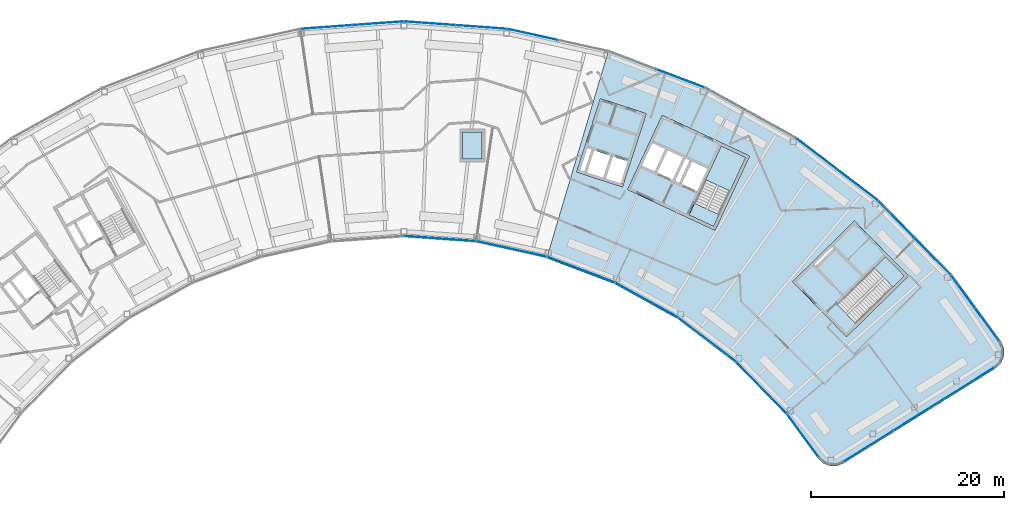
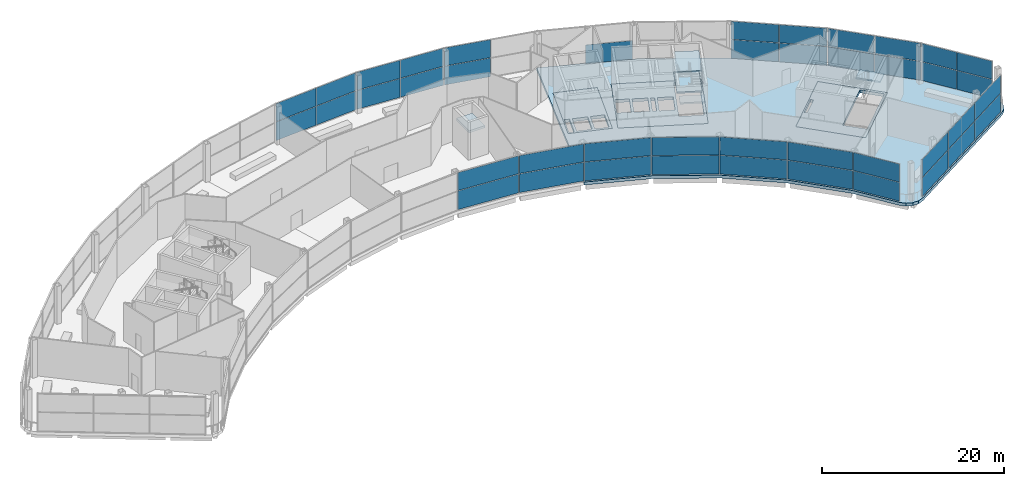
# One storey, part 34 of 43: 43 plates, 9 slabs, 17 elements without a shape of their own.
"""IFC4 building model written with IfcOpenShell, lengths in metres."""

from ifc_helpers import new_model, si_unit, direction, frame, origin, origin_2d, place, context, subcontext, project, spatial, polyline, rectangle, outline, extrude, material, layer, layer_set, type_object, element, aggregate, save


model = new_model("IFC4")

# Units and contexts
model_context = context("Model", 3, precision=1e-05, world=origin(), true_north=direction((0.0, 1.0)))
body_context = subcontext(model_context, "Body", "Model", "MODEL_VIEW")
ifc_project = project(units=[si_unit("LENGTHUNIT", "METRE"), si_unit("AREAUNIT", "SQUARE_METRE"), si_unit("VOLUMEUNIT", "CUBIC_METRE"), si_unit("PLANEANGLEUNIT", "RADIAN"), si_unit("MASSUNIT", "GRAM", prefix="KILO")], contexts=[model_context])

# Site, building, storey
site_placement = place(None, origin())
site = spatial("IfcSite", under=ifc_project, at=site_placement, CompositionType="ELEMENT")
building_placement = place(site_placement, origin())
building = spatial("IfcBuilding", under=site, at=building_placement, Name="Tuul Gate Civic Tower", CompositionType="ELEMENT")
storey_placement = place(building_placement, frame((0.0, 0.0, 349.10009765625)))
storey = spatial("IfcBuildingStorey", under=building, at=storey_placement, Name="Observation level 1", CompositionType="ELEMENT", Elevation=349.10009765625)

# Curtain wall, plates
ifc_material_1 = material(Name="Stainless steel", Category="steel")
ifc_layer_1 = layer(ifc_material_1, 0.199951171875)
ifc_layer_set_1 = layer_set([ifc_layer_1], Name="Stainless steel")
curtain_wall_type = type_object("IfcCurtainWallType", Name="Curtain wall CW4", PredefinedType="NOTDEFINED", material=ifc_layer_set_1)
curtain_wall_1_placement = place(storey_placement, origin())
curtain_wall_1 = element("IfcCurtainWall", 1, at=curtain_wall_1_placement, inside=storey, type_object=curtain_wall_type, Name="Curtain wall CW4", PredefinedType="NOTDEFINED")
ifc_material_2 = material(Name="Laminated glass", Category="glass")
ifc_layer_2 = layer(ifc_material_2, 0.0400390625)
ifc_layer_set_2 = layer_set([ifc_layer_2], Name="Laminated glass")
plate_type = type_object("IfcPlateType", Name="CW4 panel", PredefinedType="CURTAIN_PANEL", material=ifc_layer_set_2)
plate_1_placement = place(storey_placement, frame((62.70458984375, -17.19482421875, 0.06005859375), z_axis=(0.0, 0.0, 1.0), x_axis=(-0.589760109881, 0.807578487079, 0.0)))
plate_1 = element("IfcPlate", 2, at=plate_1_placement, type_object=plate_type, Name="Panel", PredefinedType="CURTAIN_PANEL", context=body_context, shape_type="SweptSolid", body=[
    extrude(rectangle(XDim=4.211669921875, YDim=0.0400390625, at=origin_2d()), origin(), (0.0, 0.0, 1.0), 2.510009765625),
])
plate_2_placement = place(storey_placement, frame((62.70458984375, -17.19482421875, 2.6298828125), z_axis=(0.0, 0.0, 1.0), x_axis=(-0.589760109881, 0.807578487079, 0.0)))
plate_2 = element("IfcPlate", 3, at=plate_2_placement, type_object=plate_type, Name="Panel", PredefinedType="CURTAIN_PANEL", context=body_context, shape_type="SweptSolid", body=[
    extrude(rectangle(XDim=4.211669921875, YDim=0.0400390625, at=origin_2d()), origin(), (0.0, 0.0, 1.0), 2.409912109375),
])
plate_3_placement = place(storey_placement, frame((60.185302734375, -13.7451171875, 0.06005859375), z_axis=(0.0, 0.0, 1.0), x_axis=(-0.589760109881, 0.807578487079, 0.0)))
plate_3 = element("IfcPlate", 4, at=plate_3_placement, type_object=plate_type, Name="Panel", PredefinedType="CURTAIN_PANEL", context=body_context, shape_type="SweptSolid", body=[
    extrude(rectangle(XDim=4.211669921875, YDim=0.0400390625, at=origin_2d()), origin(), (0.0, 0.0, 1.0), 2.510009765625),
])
plate_4_placement = place(storey_placement, frame((60.185302734375, -13.7451171875, 2.6298828125), z_axis=(0.0, 0.0, 1.0), x_axis=(-0.589760109881, 0.807578487079, 0.0)))
plate_4 = element("IfcPlate", 5, at=plate_4_placement, type_object=plate_type, Name="Panel", PredefinedType="CURTAIN_PANEL", context=body_context, shape_type="SweptSolid", body=[
    extrude(rectangle(XDim=4.211669921875, YDim=0.0400390625, at=origin_2d()), origin(), (0.0, 0.0, 1.0), 2.409912109375),
])
aggregate(curtain_wall_1, [plate_1, plate_2, plate_3, plate_4])

curtain_wall_2_placement = place(storey_placement, origin())
curtain_wall_2 = element("IfcCurtainWall", 6, at=curtain_wall_2_placement, inside=storey, type_object=curtain_wall_type, Name="Curtain wall CW4", PredefinedType="NOTDEFINED")
plate_5_placement = place(storey_placement, frame((57.017578125, -10.067626953125, 0.06005859375), z_axis=(0.0, 0.0, 1.0), x_axis=(-0.700043488595, 0.714100212908, 0.0)))
plate_5 = element("IfcPlate", 7, at=plate_5_placement, type_object=plate_type, Name="Panel", PredefinedType="CURTAIN_PANEL", context=body_context, shape_type="SweptSolid", body=[
    extrude(rectangle(XDim=5.281005859375, YDim=0.0400390625, at=origin_2d()), origin(), (0.0, 0.0, 1.0), 2.510009765625),
])
plate_6_placement = place(storey_placement, frame((57.017578125, -10.067626953125, 2.6298828125), z_axis=(0.0, 0.0, 1.0), x_axis=(-0.700043488595, 0.714100212908, 0.0)))
plate_6 = element("IfcPlate", 8, at=plate_6_placement, type_object=plate_type, Name="Panel", PredefinedType="CURTAIN_PANEL", context=body_context, shape_type="SweptSolid", body=[
    extrude(rectangle(XDim=5.281005859375, YDim=0.0400390625, at=origin_2d()), origin(), (0.0, 0.0, 1.0), 2.409912109375),
])
plate_7_placement = place(storey_placement, frame((53.278564453125, -6.25341796875, 0.06005859375), z_axis=(0.0, 0.0, 1.0), x_axis=(-0.700043488595, 0.714100212908, 0.0)))
plate_7 = element("IfcPlate", 9, at=plate_7_placement, type_object=plate_type, Name="Panel", PredefinedType="CURTAIN_PANEL", context=body_context, shape_type="SweptSolid", body=[
    extrude(rectangle(XDim=5.281005859375, YDim=0.0400390625, at=origin_2d()), origin(), (0.0, 0.0, 1.0), 2.510009765625),
])
plate_8_placement = place(storey_placement, frame((53.278564453125, -6.25341796875, 2.6298828125), z_axis=(0.0, 0.0, 1.0), x_axis=(-0.700043488595, 0.714100212908, 0.0)))
plate_8 = element("IfcPlate", 10, at=plate_8_placement, type_object=plate_type, Name="Panel", PredefinedType="CURTAIN_PANEL", context=body_context, shape_type="SweptSolid", body=[
    extrude(rectangle(XDim=5.281005859375, YDim=0.0400390625, at=origin_2d()), origin(), (0.0, 0.0, 1.0), 2.409912109375),
])
aggregate(curtain_wall_2, [plate_5, plate_6, plate_7, plate_8])

curtain_wall_3_placement = place(storey_placement, origin())
curtain_wall_3 = element("IfcCurtainWall", 11, at=curtain_wall_3_placement, inside=storey, type_object=curtain_wall_type, Name="Curtain wall CW4", PredefinedType="NOTDEFINED")
plate_9_placement = place(storey_placement, frame((49.2392578125, -2.68896484375, 0.06005859375), z_axis=(0.0, 0.0, 1.0), x_axis=(-0.795611180684, 0.605807600786, 0.0)))
plate_9 = element("IfcPlate", 12, at=plate_9_placement, type_object=plate_type, Name="Panel", PredefinedType="CURTAIN_PANEL", context=body_context, shape_type="SweptSolid", body=[
    extrude(rectangle(XDim=5.28125, YDim=0.0400390625, at=origin_2d()), origin(), (0.0, 0.0, 1.0), 2.510009765625),
])
plate_10_placement = place(storey_placement, frame((49.2392578125, -2.68896484375, 2.6298828125), z_axis=(0.0, 0.0, 1.0), x_axis=(-0.795611180684, 0.605807600786, 0.0)))
plate_10 = element("IfcPlate", 13, at=plate_10_placement, type_object=plate_type, Name="Panel", PredefinedType="CURTAIN_PANEL", context=body_context, shape_type="SweptSolid", body=[
    extrude(rectangle(XDim=5.28125, YDim=0.0400390625, at=origin_2d()), origin(), (0.0, 0.0, 1.0), 2.409912109375),
])
plate_11_placement = place(storey_placement, frame((44.98974609375, 0.546875, 0.06005859375), z_axis=(0.0, 0.0, 1.0), x_axis=(-0.795611180684, 0.605807600786, 0.0)))
plate_11 = element("IfcPlate", 14, at=plate_11_placement, type_object=plate_type, Name="Panel", PredefinedType="CURTAIN_PANEL", context=body_context, shape_type="SweptSolid", body=[
    extrude(rectangle(XDim=5.28125, YDim=0.0400390625, at=origin_2d()), origin(), (0.0, 0.0, 1.0), 2.510009765625),
])
plate_12_placement = place(storey_placement, frame((44.98974609375, 0.546875, 2.6298828125), z_axis=(0.0, 0.0, 1.0), x_axis=(-0.795611180684, 0.605807600786, 0.0)))
plate_12 = element("IfcPlate", 15, at=plate_12_placement, type_object=plate_type, Name="Panel", PredefinedType="CURTAIN_PANEL", context=body_context, shape_type="SweptSolid", body=[
    extrude(rectangle(XDim=5.28125, YDim=0.0400390625, at=origin_2d()), origin(), (0.0, 0.0, 1.0), 2.409912109375),
])
aggregate(curtain_wall_3, [plate_9, plate_10, plate_11, plate_12])

# Curtain wall, plate
curtain_wall_4_placement = place(storey_placement, origin())
curtain_wall_4 = element("IfcCurtainWall", 16, at=curtain_wall_4_placement, inside=storey, type_object=curtain_wall_type, Name="Curtain wall CW4", PredefinedType="NOTDEFINED")
plate_13_placement = place(storey_placement, frame((30.9189453125, 8.34619140625, 0.06005859375), z_axis=(0.0, 0.0, 1.0), x_axis=(-0.935346200905, 0.35373363489, 0.0)))
plate_13 = element("IfcPlate", 17, at=plate_13_placement, type_object=plate_type, Name="Panel", PredefinedType="CURTAIN_PANEL", context=body_context, shape_type="SweptSolid", body=[
    extrude(rectangle(XDim=5.28125, YDim=0.0400390625, at=origin_2d()), origin(), (0.0, 0.0, 1.0), 2.510009765625),
])
aggregate(curtain_wall_4, [plate_13])

# Curtain wall, plates
curtain_wall_5_placement = place(storey_placement, origin())
curtain_wall_5 = element("IfcCurtainWall", 18, at=curtain_wall_5_placement, inside=storey, type_object=curtain_wall_type, Name="Curtain wall CW4", PredefinedType="NOTDEFINED")
plate_14_placement = place(storey_placement, frame((15.54345703125, 12.921875, 0.06005859375), z_axis=(0.0, 0.0, 1.0), x_axis=(-0.976566659334, 0.215215147882, 0.0)))
plate_14 = element("IfcPlate", 19, at=plate_14_placement, type_object=plate_type, Name="Panel", PredefinedType="CURTAIN_PANEL", context=body_context, shape_type="SweptSolid", body=[
    extrude(rectangle(XDim=5.28125, YDim=0.0400390625, at=origin_2d()), origin(), (0.0, 0.0, 1.0), 2.510009765625),
])
plate_15_placement = place(storey_placement, frame((15.54345703125, 12.921875, 2.6298828125), z_axis=(0.0, 0.0, 1.0), x_axis=(-0.976566659334, 0.215215147882, 0.0)))
plate_15 = element("IfcPlate", 20, at=plate_15_placement, type_object=plate_type, Name="Panel", PredefinedType="CURTAIN_PANEL", context=body_context, shape_type="SweptSolid", body=[
    extrude(rectangle(XDim=5.28125, YDim=0.0400390625, at=origin_2d()), origin(), (0.0, 0.0, 1.0), 2.409912109375),
])
aggregate(curtain_wall_5, [plate_14, plate_15])

curtain_wall_6_placement = place(storey_placement, origin())
curtain_wall_6 = element("IfcCurtainWall", 21, at=curtain_wall_6_placement, inside=storey, type_object=curtain_wall_type, Name="Curtain wall CW4", PredefinedType="NOTDEFINED")
plate_16_placement = place(storey_placement, frame((10.212646484375, 13.697998046875, 0.06005859375), z_axis=(0.0, 0.0, 1.0), x_axis=(-0.997387323989, 0.07223936563, 0.0)))
plate_16 = element("IfcPlate", 22, at=plate_16_placement, type_object=plate_type, Name="Panel", PredefinedType="CURTAIN_PANEL", context=body_context, shape_type="SweptSolid", body=[
    extrude(rectangle(XDim=5.281005859375, YDim=0.0400390625, at=origin_2d()), origin(), (0.0, 0.0, 1.0), 2.510009765625),
])
plate_17_placement = place(storey_placement, frame((10.212646484375, 13.697998046875, 2.6298828125), z_axis=(0.0, 0.0, 1.0), x_axis=(-0.997387323989, 0.07223936563, 0.0)))
plate_17 = element("IfcPlate", 23, at=plate_17_placement, type_object=plate_type, Name="Panel", PredefinedType="CURTAIN_PANEL", context=body_context, shape_type="SweptSolid", body=[
    extrude(rectangle(XDim=5.281005859375, YDim=0.0400390625, at=origin_2d()), origin(), (0.0, 0.0, 1.0), 2.409912109375),
])
plate_18_placement = place(storey_placement, frame((4.885498046875, 14.083984375, 0.06005859375), z_axis=(0.0, 0.0, 1.0), x_axis=(-0.997387323989, 0.07223936563, 0.0)))
plate_18 = element("IfcPlate", 24, at=plate_18_placement, type_object=plate_type, Name="Panel", PredefinedType="CURTAIN_PANEL", context=body_context, shape_type="SweptSolid", body=[
    extrude(rectangle(XDim=5.281005859375, YDim=0.0400390625, at=origin_2d()), origin(), (0.0, 0.0, 1.0), 2.510009765625),
])
plate_19_placement = place(storey_placement, frame((4.885498046875, 14.083984375, 2.6298828125), z_axis=(0.0, 0.0, 1.0), x_axis=(-0.997387323989, 0.07223936563, 0.0)))
plate_19 = element("IfcPlate", 25, at=plate_19_placement, type_object=plate_type, Name="Panel", PredefinedType="CURTAIN_PANEL", context=body_context, shape_type="SweptSolid", body=[
    extrude(rectangle(XDim=5.281005859375, YDim=0.0400390625, at=origin_2d()), origin(), (0.0, 0.0, 1.0), 2.409912109375),
])
aggregate(curtain_wall_6, [plate_16, plate_17, plate_18, plate_19])

curtain_wall_7_placement = place(storey_placement, origin())
curtain_wall_7 = element("IfcCurtainWall", 26, at=curtain_wall_7_placement, inside=storey, type_object=curtain_wall_type, Name="Curtain wall CW4", PredefinedType="NOTDEFINED")
plate_20_placement = place(storey_placement, frame((-0.50146484375, 14.083984375, 0.06005859375), z_axis=(0.0, 0.0, 1.0), x_axis=(-0.997387323989, -0.07223936563, 0.0)))
plate_20 = element("IfcPlate", 27, at=plate_20_placement, type_object=plate_type, Name="Panel", PredefinedType="CURTAIN_PANEL", context=body_context, shape_type="SweptSolid", body=[
    extrude(rectangle(XDim=5.281005859375, YDim=0.0400390625, at=origin_2d()), origin(), (0.0, 0.0, 1.0), 2.510009765625),
])
plate_21_placement = place(storey_placement, frame((-0.50146484375, 14.083984375, 2.6298828125), z_axis=(0.0, 0.0, 1.0), x_axis=(-0.997387323989, -0.07223936563, 0.0)))
plate_21 = element("IfcPlate", 28, at=plate_21_placement, type_object=plate_type, Name="Panel", PredefinedType="CURTAIN_PANEL", context=body_context, shape_type="SweptSolid", body=[
    extrude(rectangle(XDim=5.281005859375, YDim=0.0400390625, at=origin_2d()), origin(), (0.0, 0.0, 1.0), 2.409912109375),
])
plate_22_placement = place(storey_placement, frame((-5.82861328125, 13.697998046875, 0.06005859375), z_axis=(0.0, 0.0, 1.0), x_axis=(-0.997387323989, -0.07223936563, 0.0)))
plate_22 = element("IfcPlate", 29, at=plate_22_placement, type_object=plate_type, Name="Panel", PredefinedType="CURTAIN_PANEL", context=body_context, shape_type="SweptSolid", body=[
    extrude(rectangle(XDim=5.281005859375, YDim=0.0400390625, at=origin_2d()), origin(), (0.0, 0.0, 1.0), 2.510009765625),
])
plate_23_placement = place(storey_placement, frame((-5.82861328125, 13.697998046875, 2.6298828125), z_axis=(0.0, 0.0, 1.0), x_axis=(-0.997387323989, -0.07223936563, 0.0)))
plate_23 = element("IfcPlate", 30, at=plate_23_placement, type_object=plate_type, Name="Panel", PredefinedType="CURTAIN_PANEL", context=body_context, shape_type="SweptSolid", body=[
    extrude(rectangle(XDim=5.281005859375, YDim=0.0400390625, at=origin_2d()), origin(), (0.0, 0.0, 1.0), 2.409912109375),
])
aggregate(curtain_wall_7, [plate_20, plate_21, plate_22, plate_23])

curtain_wall_8_placement = place(storey_placement, origin())
curtain_wall_8 = element("IfcCurtainWall", 31, at=curtain_wall_8_placement, inside=storey, type_object=curtain_wall_type, Name="Curtain wall CW4", PredefinedType="NOTDEFINED")
plate_24_placement = place(storey_placement, frame((5.945556640625, -8.2509765625, 0.06005859375), z_axis=(0.0, 0.0, 1.0), x_axis=(0.997384657179, -0.072276176045, 0.0)))
plate_24 = element("IfcPlate", 32, at=plate_24_placement, type_object=plate_type, Name="Panel", PredefinedType="CURTAIN_PANEL", context=body_context, shape_type="SweptSolid", body=[
    extrude(rectangle(XDim=7.40673828125, YDim=0.0400390625, at=origin_2d()), origin(), (0.0, 0.0, 1.0), 2.510009765625),
])
plate_25_placement = place(storey_placement, frame((5.945556640625, -8.2509765625, 2.6298828125), z_axis=(0.0, 0.0, 1.0), x_axis=(0.997384657179, -0.072276176045, 0.0)))
plate_25 = element("IfcPlate", 33, at=plate_25_placement, type_object=plate_type, Name="Panel", PredefinedType="CURTAIN_PANEL", context=body_context, shape_type="SweptSolid", body=[
    extrude(rectangle(XDim=7.40673828125, YDim=0.0400390625, at=origin_2d()), origin(), (0.0, 0.0, 1.0), 2.409912109375),
])
aggregate(curtain_wall_8, [plate_24, plate_25])

curtain_wall_9_placement = place(storey_placement, origin())
curtain_wall_9 = element("IfcCurtainWall", 34, at=curtain_wall_9_placement, inside=storey, type_object=curtain_wall_type, Name="Curtain wall CW4", PredefinedType="NOTDEFINED")
plate_26_placement = place(storey_placement, frame((13.3740234375, -9.3330078125, 0.06005859375), z_axis=(0.0, 0.0, 1.0), x_axis=(0.976560749849, -0.215241961183, 0.0)))
plate_26 = element("IfcPlate", 35, at=plate_26_placement, type_object=plate_type, Name="Panel", PredefinedType="CURTAIN_PANEL", context=body_context, shape_type="SweptSolid", body=[
    extrude(rectangle(XDim=7.406494140625, YDim=0.0400390625, at=origin_2d()), origin(), (0.0, 0.0, 1.0), 2.510009765625),
])
plate_27_placement = place(storey_placement, frame((13.3740234375, -9.3330078125, 2.6298828125), z_axis=(0.0, 0.0, 1.0), x_axis=(0.976560749849, -0.215241961183, 0.0)))
plate_27 = element("IfcPlate", 36, at=plate_27_placement, type_object=plate_type, Name="Panel", PredefinedType="CURTAIN_PANEL", context=body_context, shape_type="SweptSolid", body=[
    extrude(rectangle(XDim=7.406494140625, YDim=0.0400390625, at=origin_2d()), origin(), (0.0, 0.0, 1.0), 2.409912109375),
])
aggregate(curtain_wall_9, [plate_26, plate_27])

curtain_wall_10_placement = place(storey_placement, origin())
curtain_wall_10 = element("IfcCurtainWall", 37, at=curtain_wall_10_placement, inside=storey, type_object=curtain_wall_type, Name="Curtain wall CW4", PredefinedType="NOTDEFINED")
plate_28_placement = place(storey_placement, frame((20.569091796875, -11.47412109375, 0.06005859375), z_axis=(0.0, 0.0, 1.0), x_axis=(0.935364679597, -0.353684769481, 0.0)))
plate_28 = element("IfcPlate", 38, at=plate_28_placement, type_object=plate_type, Name="Panel", PredefinedType="CURTAIN_PANEL", context=body_context, shape_type="SweptSolid", body=[
    extrude(rectangle(XDim=7.406494140625, YDim=0.0400390625, at=origin_2d()), origin(), (0.0, 0.0, 1.0), 2.510009765625),
])
plate_29_placement = place(storey_placement, frame((20.569091796875, -11.47412109375, 2.6298828125), z_axis=(0.0, 0.0, 1.0), x_axis=(0.935364679597, -0.353684769481, 0.0)))
plate_29 = element("IfcPlate", 39, at=plate_29_placement, type_object=plate_type, Name="Panel", PredefinedType="CURTAIN_PANEL", context=body_context, shape_type="SweptSolid", body=[
    extrude(rectangle(XDim=7.406494140625, YDim=0.0400390625, at=origin_2d()), origin(), (0.0, 0.0, 1.0), 2.409912109375),
])
aggregate(curtain_wall_10, [plate_28, plate_29])

curtain_wall_11_placement = place(storey_placement, origin())
curtain_wall_11 = element("IfcCurtainWall", 40, at=curtain_wall_11_placement, inside=storey, type_object=curtain_wall_type, Name="Curtain wall CW4", PredefinedType="NOTDEFINED")
plate_30_placement = place(storey_placement, frame((27.380615234375, -14.62939453125, 0.06005859375), z_axis=(0.0, 0.0, 1.0), x_axis=(0.874620635875, -0.48480794476, 0.0)))
plate_30 = element("IfcPlate", 41, at=plate_30_placement, type_object=plate_type, Name="Panel", PredefinedType="CURTAIN_PANEL", context=body_context, shape_type="SweptSolid", body=[
    extrude(rectangle(XDim=7.40673828125, YDim=0.0400390625, at=origin_2d()), origin(), (0.0, 0.0, 1.0), 2.510009765625),
])
plate_31_placement = place(storey_placement, frame((27.380615234375, -14.62939453125, 2.6298828125), z_axis=(0.0, 0.0, 1.0), x_axis=(0.874620635875, -0.48480794476, 0.0)))
plate_31 = element("IfcPlate", 42, at=plate_31_placement, type_object=plate_type, Name="Panel", PredefinedType="CURTAIN_PANEL", context=body_context, shape_type="SweptSolid", body=[
    extrude(rectangle(XDim=7.40673828125, YDim=0.0400390625, at=origin_2d()), origin(), (0.0, 0.0, 1.0), 2.409912109375),
])
aggregate(curtain_wall_11, [plate_30, plate_31])

curtain_wall_12_placement = place(storey_placement, origin())
curtain_wall_12 = element("IfcCurtainWall", 43, at=curtain_wall_12_placement, inside=storey, type_object=curtain_wall_type, Name="Curtain wall CW4", PredefinedType="NOTDEFINED")
plate_32_placement = place(storey_placement, frame((33.666015625, -18.73388671875, 0.06005859375), z_axis=(0.0, 0.0, 1.0), x_axis=(0.795578092914, -0.605851052715, 0.0)))
plate_32 = element("IfcPlate", 44, at=plate_32_placement, type_object=plate_type, Name="Panel", PredefinedType="CURTAIN_PANEL", context=body_context, shape_type="SweptSolid", body=[
    extrude(rectangle(XDim=7.406494140625, YDim=0.0400390625, at=origin_2d()), origin(), (0.0, 0.0, 1.0), 2.510009765625),
])
plate_33_placement = place(storey_placement, frame((33.666015625, -18.73388671875, 2.6298828125), z_axis=(0.0, 0.0, 1.0), x_axis=(0.795578092914, -0.605851052715, 0.0)))
plate_33 = element("IfcPlate", 45, at=plate_33_placement, type_object=plate_type, Name="Panel", PredefinedType="CURTAIN_PANEL", context=body_context, shape_type="SweptSolid", body=[
    extrude(rectangle(XDim=7.406494140625, YDim=0.0400390625, at=origin_2d()), origin(), (0.0, 0.0, 1.0), 2.409912109375),
])
aggregate(curtain_wall_12, [plate_32, plate_33])

curtain_wall_13_placement = place(storey_placement, origin())
curtain_wall_13 = element("IfcCurtainWall", 46, at=curtain_wall_13_placement, inside=storey, type_object=curtain_wall_type, Name="Curtain wall CW4", PredefinedType="NOTDEFINED")
plate_34_placement = place(storey_placement, frame((39.29443359375, -23.700927734375, 0.06005859375), z_axis=(0.0, 0.0, 1.0), x_axis=(0.700096651008, -0.714048093092, 0.0)))
plate_34 = element("IfcPlate", 47, at=plate_34_placement, type_object=plate_type, Name="Panel", PredefinedType="CURTAIN_PANEL", context=body_context, shape_type="SweptSolid", body=[
    extrude(rectangle(XDim=7.406005859375, YDim=0.0400390625, at=origin_2d()), origin(), (0.0, 0.0, 1.0), 2.510009765625),
])
plate_35_placement = place(storey_placement, frame((39.29443359375, -23.700927734375, 2.6298828125), z_axis=(0.0, 0.0, 1.0), x_axis=(0.700096651008, -0.714048093092, 0.0)))
plate_35 = element("IfcPlate", 48, at=plate_35_placement, type_object=plate_type, Name="Panel", PredefinedType="CURTAIN_PANEL", context=body_context, shape_type="SweptSolid", body=[
    extrude(rectangle(XDim=7.406005859375, YDim=0.0400390625, at=origin_2d()), origin(), (0.0, 0.0, 1.0), 2.409912109375),
])
aggregate(curtain_wall_13, [plate_34, plate_35])

curtain_wall_14_placement = place(storey_placement, origin())
curtain_wall_14 = element("IfcCurtainWall", 49, at=curtain_wall_14_placement, inside=storey, type_object=curtain_wall_type, Name="Curtain wall CW4", PredefinedType="NOTDEFINED")
plate_36_placement = place(storey_placement, frame((43.596435546875, -28.67138671875, 0.06005859375), z_axis=(0.0, 0.0, 1.0), x_axis=(0.589737236717, -0.807595190444, 0.0)))
plate_36 = element("IfcPlate", 50, at=plate_36_placement, type_object=plate_type, Name="Panel", PredefinedType="CURTAIN_PANEL", context=body_context, shape_type="SweptSolid", body=[
    extrude(rectangle(XDim=5.53515625, YDim=0.0400390625, at=origin_2d()), origin(), (0.0, 0.0, 1.0), 2.510009765625),
])
plate_37_placement = place(storey_placement, frame((43.596435546875, -28.67138671875, 2.6298828125), z_axis=(0.0, 0.0, 1.0), x_axis=(0.589737236717, -0.807595190444, 0.0)))
plate_37 = element("IfcPlate", 51, at=plate_37_placement, type_object=plate_type, Name="Panel", PredefinedType="CURTAIN_PANEL", context=body_context, shape_type="SweptSolid", body=[
    extrude(rectangle(XDim=5.53515625, YDim=0.0400390625, at=origin_2d()), origin(), (0.0, 0.0, 1.0), 2.409912109375),
])
aggregate(curtain_wall_14, [plate_36, plate_37])

curtain_wall_15_placement = place(storey_placement, origin())
curtain_wall_15 = element("IfcCurtainWall", 52, at=curtain_wall_15_placement, inside=storey, type_object=curtain_wall_type, Name="Curtain wall CW4", PredefinedType="NOTDEFINED")
plate_38_placement = place(storey_placement, frame((50.373291015625, -29.786865234375, 0.06005859375), z_axis=(0.0, 0.0, 1.0), x_axis=(0.848052818366, 0.529911707044, 0.0)))
plate_38 = element("IfcPlate", 53, at=plate_38_placement, type_object=plate_type, Name="Panel", PredefinedType="CURTAIN_PANEL", context=body_context, shape_type="SweptSolid", body=[
    extrude(rectangle(XDim=6.0927734375, YDim=0.0400390625, at=origin_2d()), origin(), (0.0, 0.0, 1.0), 2.510009765625),
])
plate_39_placement = place(storey_placement, frame((50.373291015625, -29.786865234375, 2.6298828125), z_axis=(0.0, 0.0, 1.0), x_axis=(0.848052818366, 0.529911707044, 0.0)))
plate_39 = element("IfcPlate", 54, at=plate_39_placement, type_object=plate_type, Name="Panel", PredefinedType="CURTAIN_PANEL", context=body_context, shape_type="SweptSolid", body=[
    extrude(rectangle(XDim=6.0927734375, YDim=0.0400390625, at=origin_2d()), origin(), (0.0, 0.0, 1.0), 2.409912109375),
])
plate_40_placement = place(storey_placement, frame((55.60400390625, -26.5185546875, 0.06005859375), z_axis=(0.0, 0.0, 1.0), x_axis=(0.848052818366, 0.529911707044, 0.0)))
plate_40 = element("IfcPlate", 55, at=plate_40_placement, type_object=plate_type, Name="Panel", PredefinedType="CURTAIN_PANEL", context=body_context, shape_type="SweptSolid", body=[
    extrude(rectangle(XDim=6.122802734375, YDim=0.0400390625, at=origin_2d()), origin(), (0.0, 0.0, 1.0), 2.510009765625),
])
plate_41_placement = place(storey_placement, frame((55.60400390625, -26.5185546875, 2.6298828125), z_axis=(0.0, 0.0, 1.0), x_axis=(0.848052818366, 0.529911707044, 0.0)))
plate_41 = element("IfcPlate", 56, at=plate_41_placement, type_object=plate_type, Name="Panel", PredefinedType="CURTAIN_PANEL", context=body_context, shape_type="SweptSolid", body=[
    extrude(rectangle(XDim=6.122802734375, YDim=0.0400390625, at=origin_2d()), origin(), (0.0, 0.0, 1.0), 2.409912109375),
])
plate_42_placement = place(storey_placement, frame((60.834716796875, -23.25, 0.06005859375), z_axis=(0.0, 0.0, 1.0), x_axis=(0.848052818366, 0.529911707044, 0.0)))
plate_42 = element("IfcPlate", 57, at=plate_42_placement, type_object=plate_type, Name="Panel", PredefinedType="CURTAIN_PANEL", context=body_context, shape_type="SweptSolid", body=[
    extrude(rectangle(XDim=6.0927734375, YDim=0.0400390625, at=origin_2d()), origin(), (0.0, 0.0, 1.0), 2.510009765625),
])
plate_43_placement = place(storey_placement, frame((60.834716796875, -23.25, 2.6298828125), z_axis=(0.0, 0.0, 1.0), x_axis=(0.848052818366, 0.529911707044, 0.0)))
plate_43 = element("IfcPlate", 58, at=plate_43_placement, type_object=plate_type, Name="Panel", PredefinedType="CURTAIN_PANEL", context=body_context, shape_type="SweptSolid", body=[
    extrude(rectangle(XDim=6.0927734375, YDim=0.0400390625, at=origin_2d()), origin(), (0.0, 0.0, 1.0), 2.409912109375),
])
aggregate(curtain_wall_15, [plate_38, plate_39, plate_40, plate_41, plate_42, plate_43])

# Slabs
ifc_material_3 = material(Name="Concrete C40/50", Category="concrete")
ifc_layer_3 = layer(ifc_material_3, 0.39990234375)
ifc_layer_set_3 = layer_set([ifc_layer_3], Name="Concrete C40/50")
slab_type_1 = type_object("IfcSlabType", Name="Core floor slab 400", PredefinedType="FLOOR", material=ifc_layer_set_3)
slab_1_placement = place(storey_placement, frame((0.0, 0.0, -0.400146484375)))
element("IfcSlab", 59, at=slab_1_placement, inside=storey, type_object=slab_type_1, Name="FLOOR SLAB", PredefinedType="FLOOR", context=body_context, shape_type="SweptSolid", body=[
    extrude(outline(polyline([(48.117919921875, -18.43310546875), (54.545166015625, -12.1328125), (48.945068359375, -6.419921875), (42.517822265625, -12.719970703125), (48.117919921875, -18.43310546875)]), holes=[polyline([(44.93896484375, -11.046875), (46.760009765625, -9.261962890625), (46.514892578125, -9.011962890625), (44.69384765625, -10.797119140625), (44.93896484375, -11.046875)]), polyline([(49.086181640625, -17.062744140625), (47.12744140625, -15.064208984375), (52.160888671875, -10.130126953125), (54.11962890625, -12.128662109375), (49.086181640625, -17.062744140625)])]), origin(), (0.0, 0.0, 1.0), 0.400146484375),
])
slab_2_placement = place(storey_placement, frame((0.0, 0.0, -0.400146484375)))
element("IfcSlab", 60, at=slab_2_placement, inside=storey, type_object=slab_type_1, Name="FLOOR SLAB", PredefinedType="FLOOR", context=body_context, shape_type="SweptSolid", body=[
    extrude(outline(polyline([(34.465087890625, -7.385986328125), (38.056884765625, 0.31787109375), (28.993896484375, 4.543701171875), (25.40185546875, -3.159912109375), (34.465087890625, -7.385986328125)]), holes=[polyline([(32.60888671875, -3.32080078125), (33.6865234375, -1.009765625), (32.1005859375, -0.27001953125), (31.02294921875, -2.581298828125), (32.60888671875, -3.32080078125)]), polyline([(30.0712890625, -2.137451171875), (31.14892578125, 0.173583984375), (29.562744140625, 0.9130859375), (28.4853515625, -1.39794921875), (30.0712890625, -2.137451171875)]), polyline([(30.751220703125, -2.454345703125), (31.82861328125, -0.143310546875), (31.4208984375, 0.046875), (30.34326171875, -2.264404296875), (30.751220703125, -2.454345703125)]), polyline([(28.21337890625, -1.27099609375), (29.291015625, 1.0400390625), (27.8408203125, 1.71630859375), (26.76318359375, -0.594970703125), (28.21337890625, -1.27099609375)]), polyline([(34.889892578125, -5.7626953125), (32.353759765625, -4.580078125), (35.120849609375, 1.354736328125), (37.6572265625, 0.17236328125), (34.889892578125, -5.7626953125)])]), origin(), (0.0, 0.0, 1.0), 0.400146484375),
])
ifc_material_4 = material(Name="Concrete C40/50", Category="concrete")
ifc_layer_4 = layer(ifc_material_4, 0.39990234375)
ifc_layer_set_4 = layer_set([ifc_layer_4], Name="Concrete C40/50")
slab_type_2 = type_object("IfcSlabType", Name="Core floor slab 400 non-bearing", PredefinedType="FLOOR", material=ifc_layer_set_4)
slab_3_placement = place(storey_placement, frame((0.0, 0.0, -0.400146484375)))
element("IfcSlab", 61, at=slab_3_placement, inside=storey, type_object=slab_type_2, Name="FLOOR SLAB", PredefinedType="FLOOR", context=body_context, shape_type="SweptSolid", body=[
    extrude(outline(polyline([(24.864990234375, -2.888916015625), (27.337890625, 4.71923828125), (22.58251953125, 6.264404296875), (20.109619140625, -1.343994140625), (24.864990234375, -2.888916015625)]), holes=[polyline([(24.67236328125, -2.510986328125), (25.414306640625, -0.228515625), (23.892578125, 0.265869140625), (23.150634765625, -2.0166015625), (24.67236328125, -2.510986328125)]), polyline([(22.865478515625, -1.923828125), (23.607177734375, 0.358642578125), (21.94287109375, 0.8994140625), (21.201171875, -1.383056640625), (22.865478515625, -1.923828125)]), polyline([(20.869384765625, -1.43310546875), (21.65771484375, 0.9921875), (21.0869140625, 1.177490234375), (20.298583984375, -1.24755859375), (20.869384765625, -1.43310546875)])]), origin(), (0.0, 0.0, 1.0), 0.400146484375),
])

# Stair, slab
ifc_material_5 = material(Name="Concrete C40/50", Category="concrete")
stair_type = type_object("IfcStairType", Name="Exit stair", PredefinedType="HALF_TURN_STAIR", material=ifc_material_5)
stair_1_placement = place(storey_placement, origin())
stair_1 = element("IfcStair", 62, at=stair_1_placement, inside=storey, type_object=stair_type, Name="Observation level 1 ST-3", PredefinedType="HALF_TURN_STAIR")
ifc_material_6 = material(Name="Concrete C40/50", Category="concrete")
ifc_layer_5 = layer(ifc_material_6, 0.199951171875)
ifc_layer_set_5 = layer_set([ifc_layer_5], Name="Concrete C40/50")
slab_type_3 = type_object("IfcSlabType", Name="Exit stair landing", PredefinedType="LANDING", material=ifc_layer_set_5)
slab_4_placement = place(storey_placement, frame((0.0, 0.0, 2.5498046875)))
slab_4 = element("IfcSlab", 63, at=slab_4_placement, type_object=slab_type_3, Name="ST-3 landing 1", PredefinedType="LANDING", context=body_context, shape_type="SweptSolid", body=[
    extrude(outline(polyline([(52.942626953125, -13.284912109375), (50.9814453125, -11.2841796875), (52.160888671875, -10.1279296875), (54.1220703125, -12.128662109375), (52.942626953125, -13.284912109375)])), origin(), (0.0, 0.0, 1.0), 0.2001953125),
])
aggregate(stair_1, [slab_4])

# Stair, slabs
stair_2_placement = place(storey_placement, origin())
stair_2 = element("IfcStair", 64, at=stair_2_placement, inside=storey, type_object=stair_type, Name="Observation level 1 ST-4", PredefinedType="HALF_TURN_STAIR")
slab_5_placement = place(storey_placement, frame((0.0, 0.0, 1.1748046875)))
slab_5 = element("IfcSlab", 65, at=slab_5_placement, type_object=slab_type_3, Name="ST-4 landing 1", PredefinedType="LANDING", context=body_context, shape_type="SweptSolid", body=[
    extrude(outline(polyline([(36.03173828125, -3.317626953125), (33.49267578125, -2.1337890625), (35.1201171875, 1.35693359375), (37.659423828125, 0.173095703125), (36.03173828125, -3.317626953125)])), origin(), (0.0, 0.0, 1.0), 0.2001953125),
])
slab_6_placement = place(storey_placement, frame((0.0, 0.0, 2.5498046875)))
slab_6 = element("IfcSlab", 66, at=slab_6_placement, type_object=slab_type_3, Name="ST-4 landing 2", PredefinedType="LANDING", context=body_context, shape_type="SweptSolid", body=[
    extrude(outline(polyline([(34.3203125, -6.98828125), (31.781005859375, -5.804443359375), (32.352294921875, -4.57958984375), (34.891357421875, -5.763427734375), (34.3203125, -6.98828125)])), origin(), (0.0, 0.0, 1.0), 0.2001953125),
])
slab_7_placement = place(storey_placement, frame((0.0, 0.0, 3.9248046875)))
slab_7 = element("IfcSlab", 67, at=slab_7_placement, type_object=slab_type_3, Name="ST-4 landing 3", PredefinedType="LANDING", context=body_context, shape_type="SweptSolid", body=[
    extrude(outline(polyline([(36.03173828125, -3.317626953125), (33.49267578125, -2.1337890625), (35.1201171875, 1.35693359375), (37.659423828125, 0.173095703125), (36.03173828125, -3.317626953125)])), origin(), (0.0, 0.0, 1.0), 0.2001953125),
])
aggregate(stair_2, [slab_5, slab_6, slab_7])

# Slabs
ifc_material_7 = material(Name="Concrete C40/50", Category="concrete")
ifc_layer_6 = layer(ifc_material_7, 0.300048828125)
ifc_layer_set_6 = layer_set([ifc_layer_6], Name="Concrete C40/50")
slab_type_4 = type_object("IfcSlabType", Name="Lift pit floor", PredefinedType="USERDEFINED", material=ifc_layer_set_6)
slab_8_placement = place(storey_placement, frame((0.0, 0.0, 3.39990234375)))
element("IfcSlab", 68, at=slab_8_placement, inside=storey, type_object=slab_type_4, Name="Lift pit floor X4", ObjectType="LIFT PIT FLOOR", PredefinedType="USERDEFINED", context=body_context, shape_type="SweptSolid", body=[
    extrude(outline(polyline([(10.300048828125, 0.0), (10.300048828125, 2.800048828125), (8.300048828125, 2.800048828125), (8.300048828125, 0.0), (10.300048828125, 0.0)])), origin(), (0.0, 0.0, 1.0), 0.300048828125),
])
ifc_material_8 = material(Name="Concrete C35/45", Category="concrete")
ifc_layer_7 = layer(ifc_material_8, 0.39990234375)
ifc_layer_set_7 = layer_set([ifc_layer_7], Name="Concrete C35/45")
slab_type_5 = type_object("IfcSlabType", Name="STR-FLOOR-SLAB-400", PredefinedType="FLOOR", material=ifc_layer_set_7)
slab_9_placement = place(storey_placement, frame((0.0, 0.0, -0.400146484375)))
element("IfcSlab", 69, at=slab_9_placement, inside=storey, type_object=slab_type_5, Name="Observation level 1/slab/E", PredefinedType="FLOOR", context=body_context, shape_type="SweptSolid", body=[
    extrude(outline(polyline([(47.1240234375, -31.830078125), (47.818115234375, -31.56005859375), (63.548095703125, -21.73095703125), (64.136962890625, -21.1669921875), (64.451904296875, -20.4140625), (64.43994140625, -19.597900390625), (64.10302734375, -18.85498046875), (59.02294921875, -11.89892578125), (51.488037109375, -4.2119140625), (42.923095703125, 2.30908203125), (33.509033203125, 7.528076171875), (23.43994140625, 11.3349609375), (17.006103515625, -10.287109375), (24.02587890625, -12.94189453125), (30.590087890625, -16.580078125), (36.56103515625, -21.1259765625), (41.81396484375, -26.486083984375), (45.14306640625, -31.0439453125), (45.68701171875, -31.552978515625), (46.37890625, -31.827880859375), (47.1240234375, -31.830078125)]), holes=[polyline([(48.117919921875, -18.43310546875), (42.51806640625, -12.719970703125), (48.945068359375, -6.419921875), (54.544921875, -12.133056640625), (48.117919921875, -18.43310546875)]), polyline([(25.402099609375, -3.159912109375), (28.993896484375, 4.5439453125), (38.056884765625, 0.318115234375), (34.465087890625, -7.385986328125), (25.402099609375, -3.159912109375)]), polyline([(20.110107421875, -1.343994140625), (22.58203125, 6.264892578125), (27.337890625, 4.719970703125), (24.864990234375, -2.888916015625), (20.110107421875, -1.343994140625)])]), origin(), (0.0, 0.0, 1.0), 0.400146484375),
])

save(model, "model.ifc")
